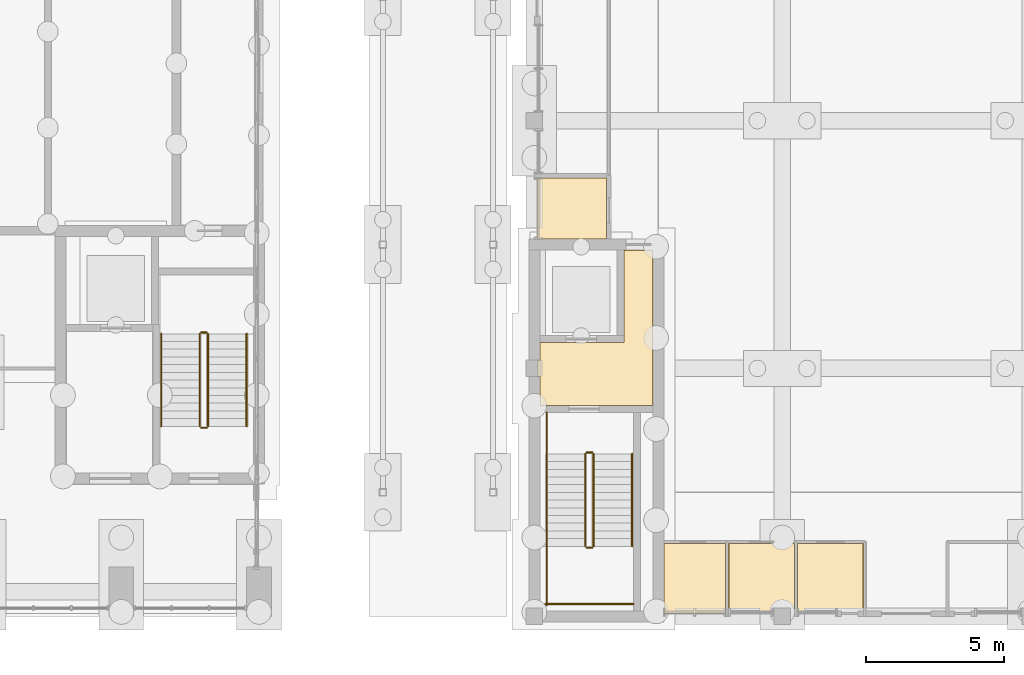
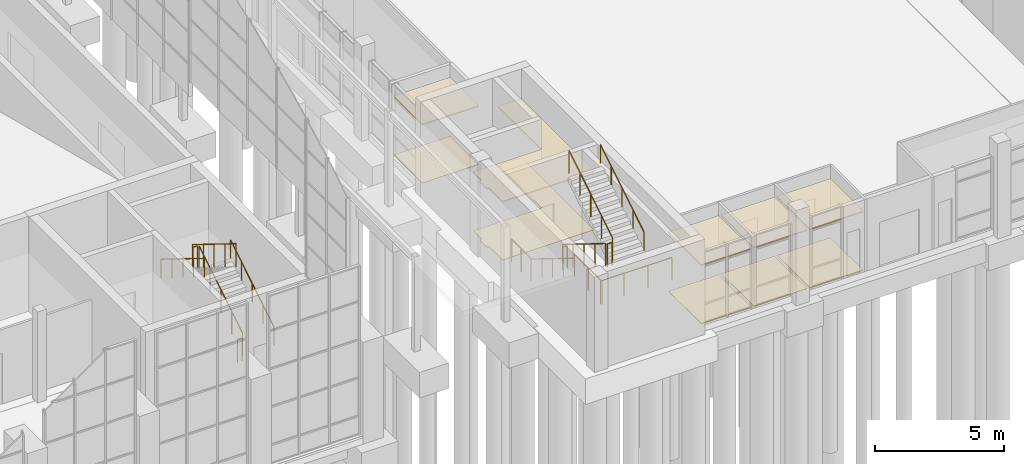
# One storey, part 85 of 106: 15 railings, 10 coverings.
"""IFC4 building model written with IfcOpenShell, lengths in metres."""

import ifcopenshell
import ifcopenshell.guid

model = None  # the IFC model being written
_history = None  # IfcOwnerHistory: only IFC2X3 demands one
_inside = {}  # id of a spatial element -> (the spatial element, [elements in it])
_under = {}  # id of a project, library or spatial element -> (it, [spatial elements below it])
_declared = {}  # id of a project -> (the project, [libraries it declares])
_typed = {}  # id of a type object -> (the type object, [elements of that type])
_made_of = {}  # id of a material, layer set ... -> (it, [elements and type objects made of it])


def new_model(schema):
    """Start an empty IFC model of exactly this schema.

    Asked for "IFC4X3", IfcOpenShell would pick the latest addendum, in which some entities
    have other attributes; the version numbers below select the first issue.
    IFC2X3 requires an IfcOwnerHistory on every rooted entity: one is made here for all.
    """
    global model, _history
    if schema == "IFC4X3":
        model = ifcopenshell.file(schema_version=(4, 3, 0, 0))
    else:
        model = ifcopenshell.file(schema=schema)
    _inside.clear()
    _under.clear()
    _declared.clear()
    _typed.clear()
    _made_of.clear()
    _history = None
    if model.schema == "IFC2X3":
        org = make("IfcOrganization", Name="unknown")
        user = make(
            "IfcPersonAndOrganization",
            ThePerson=make("IfcPerson", FamilyName="unknown"),
            TheOrganization=org,
        )
        app = make(
            "IfcApplication",
            ApplicationDeveloper=org,
            Version="unknown",
            ApplicationFullName="unknown",
            ApplicationIdentifier="unknown",
        )
        _history = make(
            "IfcOwnerHistory",
            OwningUser=user,
            OwningApplication=app,
            ChangeAction="ADDED",
            CreationDate=0,
        )
    return model


def make(cls, **values):
    """One entity of the class cls with the attributes given. An attribute that is None is left unset."""
    return model.create_entity(
        cls, **{name: value for name, value in values.items() if value is not None}
    )


def rooted(cls, **values):
    """An entity with a GlobalId (a new one), such as an element, a storey or a relation."""
    return make(cls, GlobalId=ifcopenshell.guid.new(), OwnerHistory=_history, **values)


def si_unit(unit_type, name, prefix=None):
    """IfcSIUnit, for example si_unit("LENGTHUNIT", "METRE", prefix="MILLI")."""
    return make("IfcSIUnit", UnitType=unit_type, Prefix=prefix, Name=name)


def assignment(units):
    """IfcUnitAssignment: the units of a project."""
    return None if units is None else make("IfcUnitAssignment", Units=units)


def point(xyz):
    """IfcCartesianPoint."""
    return None if xyz is None else make("IfcCartesianPoint", Coordinates=xyz)


def direction(xyz):
    """IfcDirection."""
    return None if xyz is None else make("IfcDirection", DirectionRatios=xyz)


def frame(location, z_axis=None, x_axis=None):
    """IfcAxis2Placement3D, a coordinate frame: its origin and axes. An axis left out is left unset."""
    return make(
        "IfcAxis2Placement3D",
        Location=point(location),
        Axis=direction(z_axis),
        RefDirection=direction(x_axis),
    )


def frame_2d(location, x_axis=None):
    """IfcAxis2Placement2D, a coordinate frame in the plane: its origin and x axis."""
    return make(
        "IfcAxis2Placement2D", Location=point(location), RefDirection=direction(x_axis)
    )


def origin():
    """The frame at (0, 0, 0) with its axes left unset."""
    return frame((0.0, 0.0, 0.0))


def origin_2d():
    """The frame at (0, 0) in the plane with its x axis left unset."""
    return frame_2d((0.0, 0.0))


def place(relative_to, where):
    """IfcLocalPlacement: puts the frame where relative to a parent placement (None: the world)."""
    return make(
        "IfcLocalPlacement", PlacementRelTo=relative_to, RelativePlacement=where
    )


def context(
    kind, dimensions, precision=None, world=None, true_north=None, identifier=None
):
    """IfcGeometricRepresentationContext, for example the 3D "Model" context."""
    return make(
        "IfcGeometricRepresentationContext",
        ContextIdentifier=identifier,
        ContextType=kind,
        CoordinateSpaceDimension=dimensions,
        Precision=precision,
        WorldCoordinateSystem=world,
        TrueNorth=true_north,
    )


def subcontext(parent, identifier, kind, view, scale=None):
    """IfcGeometricRepresentationSubContext, for example "Body" below "Model"."""
    return make(
        "IfcGeometricRepresentationSubContext",
        ContextIdentifier=identifier,
        ContextType=kind,
        ParentContext=parent,
        TargetScale=scale,
        TargetView=view,
    )


def project(units=None, contexts=None):
    """IfcProject with its units and contexts."""
    return rooted(
        "IfcProject",
        Name="project",
        RepresentationContexts=contexts,
        UnitsInContext=assignment(units),
    )


def spatial(cls, under=None, at=None, **own):
    """A site, building, storey or space (cls), placed at a placement, below another one or the project."""
    s = rooted(cls, ObjectPlacement=at, **own)
    if under is not None:
        _under.setdefault(under.id(), (under, []))[1].append(s)
    return s


def polyline(points):
    """IfcPolyline through the points."""
    return make("IfcPolyline", Points=[point(p) for p in points])


def profile(cls, at=None, kind="AREA", **sizes):
    """A parametric profile (cls). Its sizes go by their IFC names, for example OverallWidth=200.0."""
    return make(cls, ProfileType=kind, Position=at, **sizes)


def circle(**sizes):
    """IfcCircleProfileDef."""
    return profile("IfcCircleProfileDef", **sizes)


def outline(outer, holes=None, kind="AREA"):
    """IfcArbitraryClosedProfileDef: a profile drawn as a closed curve; with holes, ...WithVoids."""
    if holes is None:
        return make("IfcArbitraryClosedProfileDef", ProfileType=kind, OuterCurve=outer)
    return make(
        "IfcArbitraryProfileDefWithVoids",
        ProfileType=kind,
        OuterCurve=outer,
        InnerCurves=holes,
    )


def extrude(swept, where, along, depth):
    """IfcExtrudedAreaSolid: the profile swept, set in the frame where, extruded along a direction by depth."""
    return make(
        "IfcExtrudedAreaSolid",
        SweptArea=swept,
        Position=where,
        ExtrudedDirection=direction(along),
        Depth=depth,
    )


def shape(context_of_items, identifier, shape_type, items):
    """IfcShapeRepresentation: the items that make up one representation, for example the "Body"."""
    return make(
        "IfcShapeRepresentation",
        ContextOfItems=context_of_items,
        RepresentationIdentifier=identifier,
        RepresentationType=shape_type,
        Items=items,
    )


def material(Name=None, Category=None):
    """IfcMaterial."""
    return make("IfcMaterial", Name=Name, Category=Category)


def layer(
    of_material, thickness, ventilated=None, Name=None, Category=None, Priority=None
):
    """IfcMaterialLayer: one layer of a wall or slab, of a material (None: an air gap)."""
    return make(
        "IfcMaterialLayer",
        Material=of_material,
        LayerThickness=thickness,
        IsVentilated=ventilated,
        Name=Name,
        Category=Category,
        Priority=Priority,
    )


def layer_set(layers, Name=None):
    """IfcMaterialLayerSet."""
    return make("IfcMaterialLayerSet", MaterialLayers=layers, LayerSetName=Name)


def made_of(thing, what):
    """Note that an element or type object is made of a material, layer set ...; save() writes the relation."""
    if what is not None:
        _made_of.setdefault(what.id(), (what, []))[1].append(thing)
    return thing


def type_object(cls, material=None, **own):
    """A type object (cls), such as IfcWallType, which elements share."""
    return made_of(rooted(cls, **own), material)


def element(
    cls,
    number,
    at=None,
    inside=None,
    cuts=None,
    type_object=None,
    material=None,
    context=None,
    identifier="Body",
    shape_type=None,
    held_by="IfcProductDefinitionShape",
    body=None,
    shapes=None,
    **own,
):
    """One element of the class cls, such as IfcWall. Its Tag is "e" and its number.

    at: its placement. inside: the storey or other place that contains it. cuts: it is an
    opening in that element (IfcRelVoidsElement). A single representation is given by context,
    identifier, shape_type and body (its items); several are given by shapes. held_by: the class
    of the entity that holds the representations. save() writes the other relations.
    """
    e = rooted(cls, Tag="e%d" % number, ObjectPlacement=at, **own)
    if body is not None:
        shapes = [shape(context, identifier, shape_type, body)]
    if shapes is not None:
        e.Representation = make(held_by, Representations=shapes)
    if inside is not None:
        _inside.setdefault(inside.id(), (inside, []))[1].append(e)
    if cuts is not None:
        rooted(
            "IfcRelVoidsElement", RelatingBuildingElement=cuts, RelatedOpeningElement=e
        )
    if type_object is not None:
        _typed.setdefault(type_object.id(), (type_object, []))[1].append(e)
    return made_of(e, material)


def aggregate(whole, parts):
    """IfcRelAggregates: a whole, such as a stair, and the parts it consists of."""
    return rooted("IfcRelAggregates", RelatingObject=whole, RelatedObjects=parts)


def save(model, path):
    """Write the relations noted so far, then the file.

    IfcRelAggregates (storeys below a building ...), IfcRelContainedInSpatialStructure (elements
    in a storey), IfcRelDefinesByType, IfcRelAssociatesMaterial and IfcRelDeclares: one each for
    every whole, place, type object, material and project.
    """
    for whole, parts in _under.values():
        aggregate(whole, parts)
    for where, things in _inside.values():
        rooted(
            "IfcRelContainedInSpatialStructure",
            RelatedElements=things,
            RelatingStructure=where,
        )
    for kind, things in _typed.values():
        rooted("IfcRelDefinesByType", RelatedObjects=things, RelatingType=kind)
    for what, things in _made_of.values():
        rooted("IfcRelAssociatesMaterial", RelatedObjects=things, RelatingMaterial=what)
    for by, libraries in _declared.values():
        rooted("IfcRelDeclares", RelatingContext=by, RelatedDefinitions=libraries)
    model.write(path)


model = new_model("IFC4")

# Units and contexts
model_context = context("Model", 3, precision=1e-05, world=origin(), true_north=direction((0.0, 1.0)))
body_context = subcontext(model_context, "Body", "Model", "MODEL_VIEW")
ifc_project = project(units=[si_unit("LENGTHUNIT", "METRE"), si_unit("AREAUNIT", "SQUARE_METRE"), si_unit("VOLUMEUNIT", "CUBIC_METRE"), si_unit("PLANEANGLEUNIT", "RADIAN"), si_unit("MASSUNIT", "GRAM", prefix="KILO")], contexts=[model_context])

# Site, building, storey
site_placement = place(None, origin())
site = spatial("IfcSite", under=ifc_project, at=site_placement, CompositionType="ELEMENT")
building_placement = place(site_placement, origin())
building = spatial("IfcBuilding", under=site, at=building_placement, Name="Merrow Basin Faculty of Sciences", CompositionType="ELEMENT")
storey_placement = place(building_placement, origin())
storey = spatial("IfcBuildingStorey", under=building, at=storey_placement, Name="L00", CompositionType="ELEMENT", Elevation=0.0)

# Coverings
ifc_material_1 = material(Name="Ceramic floor tile")
ifc_layer_1 = layer(ifc_material_1, 0.02001953125)
ifc_layer_set_1 = layer_set([ifc_layer_1], Name="Ceramic floor tile")
covering_type_1 = type_object("IfcCoveringType", Name="Ceramic floor tile", PredefinedType="FLOORING", material=ifc_layer_set_1)
covering_1_placement = place(storey_placement, origin())
element("IfcCovering", 1, at=covering_1_placement, inside=storey, type_object=covering_type_1, Name="Floor finish L00-A-007", PredefinedType="FLOORING", context=body_context, shape_type="SweptSolid", body=[
    extrude(outline(polyline([(49.7099609375, 0.110107421875), (49.7099609375, 2.639892578125), (51.93994140625, 2.639892578125), (51.93994140625, 0.110107421875), (49.7099609375, 0.110107421875)])), origin(), (0.0, 0.0, 1.0), 0.02001953125),
])
covering_2_placement = place(storey_placement, origin())
element("IfcCovering", 2, at=covering_2_placement, inside=storey, type_object=covering_type_1, Name="Floor finish L00-A-008", PredefinedType="FLOORING", context=body_context, shape_type="SweptSolid", body=[
    extrude(outline(polyline([(52.06005859375, 0.110107421875), (52.06005859375, 2.639892578125), (54.43994140625, 2.639892578125), (54.43994140625, 0.110107421875), (52.06005859375, 0.110107421875)])), origin(), (0.0, 0.0, 1.0), 0.02001953125),
])
covering_3_placement = place(storey_placement, origin())
element("IfcCovering", 3, at=covering_3_placement, inside=storey, type_object=covering_type_1, Name="Floor finish L00-A-009", PredefinedType="FLOORING", context=body_context, shape_type="SweptSolid", body=[
    extrude(outline(polyline([(54.56005859375, 0.110107421875), (54.56005859375, 2.639892578125), (56.93994140625, 2.639892578125), (56.93994140625, 0.110107421875), (54.56005859375, 0.110107421875)])), origin(), (0.0, 0.0, 1.0), 0.02001953125),
])
ifc_material_2 = material(Name="Polished terrazzo floor")
ifc_layer_2 = layer(ifc_material_2, 0.02001953125)
ifc_layer_set_2 = layer_set([ifc_layer_2], Name="Polished terrazzo floor")
covering_type_2 = type_object("IfcCoveringType", Name="Polished terrazzo floor", PredefinedType="FLOORING", material=ifc_layer_set_2)
covering_4_placement = place(storey_placement, origin())
element("IfcCovering", 4, at=covering_4_placement, inside=storey, type_object=covering_type_2, Name="Floor finish L00-A-003", PredefinedType="FLOORING", context=body_context, shape_type="SweptSolid", body=[
    extrude(outline(polyline([(45.110107421875, 9.2900390625), (45.2099609375, 9.2900390625), (45.2099609375, 9.93994140625), (48.260009765625, 9.93994140625), (48.260009765625, 13.2900390625), (49.2900390625, 13.2900390625), (49.2900390625, 7.659912109375), (45.2099609375, 7.659912109375), (45.2099609375, 8.7099609375), (45.110107421875, 8.7099609375), (45.110107421875, 9.2900390625)])), origin(), (0.0, 0.0, 1.0), 0.02001953125),
])
ifc_material_3 = material(Name="Sealed concrete floor", Category="concrete")
ifc_layer_3 = layer(ifc_material_3, 0.02001953125)
ifc_layer_set_3 = layer_set([ifc_layer_3], Name="Sealed concrete floor")
covering_type_3 = type_object("IfcCoveringType", Name="Sealed concrete floor", PredefinedType="FLOORING", material=ifc_layer_set_3)
covering_5_placement = place(storey_placement, origin())
element("IfcCovering", 5, at=covering_5_placement, inside=storey, type_object=covering_type_3, Name="Floor finish L00-A-013", PredefinedType="FLOORING", context=body_context, shape_type="SweptSolid", body=[
    extrude(outline(polyline([(45.110107421875, 15.9150390625), (47.614990234375, 15.9150390625), (47.614990234375, 13.7099609375), (45.110107421875, 13.7099609375), (45.110107421875, 15.9150390625)])), origin(), (0.0, 0.0, 1.0), 0.02001953125),
])

# Railings
ifc_material_4 = material(Name="Steel ASTM A36", Category="steel")
railing_type_1 = type_object("IfcRailingType", Name="Steel guard 1100", PredefinedType="GUARDRAIL", material=ifc_material_4)
railing_1_placement = place(storey_placement, frame((33.14990234375, 6.89990234375, 0.173095703125)))
element("IfcRailing", 6, at=railing_1_placement, inside=storey, type_object=railing_type_1, Name="L00 ST-V1-E stair guard 1", PredefinedType="GUARDRAIL", context=body_context, shape_type="SweptSolid", body=[
    extrude(circle(Radius=0.02392578125, at=origin_2d()), frame((0.0, 0.0, 1.076171875), z_axis=(0.0, 0.850623216509, 0.525775754039), x_axis=(-1.0, 0.0, 0.0)), (0.0, 0.0, 1.0), 3.9501953125),
    extrude(circle(Radius=0.02099609375, at=origin_2d()), origin(), (0.0, 0.0, 1.0), 1.052001953125),
    extrude(circle(Radius=0.02099609375, at=origin_2d()), frame((0.0, 0.840087890625, 0.519287109375)), (0.0, 0.0, 1.0), 1.052001953125),
    extrude(circle(Radius=0.02099609375, at=origin_2d()), frame((0.0, 1.68017578125, 1.03857421875)), (0.0, 0.0, 1.0), 1.052001953125),
    extrude(circle(Radius=0.02099609375, at=origin_2d()), frame((0.0, 2.52001953125, 1.5576171875)), (0.0, 0.0, 1.0), 1.052001953125),
    extrude(circle(Radius=0.02099609375, at=origin_2d()), frame((0.0, 3.360107421875, 2.076904296875)), (0.0, 0.0, 1.0), 1.052001953125),
])
railing_2_placement = place(storey_placement, frame((33.10009765625, 10.31005859375, 2.25)))
element("IfcRailing", 7, at=railing_2_placement, inside=storey, type_object=railing_type_1, Name="L00 ST-V1-E stair guard 2", PredefinedType="GUARDRAIL", context=body_context, shape_type="SweptSolid", body=[
    extrude(circle(Radius=0.02392578125, at=origin_2d()), frame((0.0, 0.0, 1.076171875), z_axis=(-1.0, 0.0, 0.0), x_axis=(0.0, -1.0, 0.0)), (0.0, 0.0, 1.0), 0.2001953125),
    extrude(circle(Radius=0.02099609375, at=origin_2d()), origin(), (0.0, 0.0, 1.0), 1.052001953125),
    extrude(circle(Radius=0.02099609375, at=origin_2d()), frame((-0.2001953125, 0.0, 0.0)), (0.0, 0.0, 1.0), 1.052001953125),
])
railing_3_placement = place(storey_placement, frame((32.85009765625, 10.260009765625, 2.423095703125)))
element("IfcRailing", 8, at=railing_3_placement, inside=storey, type_object=railing_type_1, Name="L00 ST-V1-E stair guard 3", PredefinedType="GUARDRAIL", context=body_context, shape_type="SweptSolid", body=[
    extrude(circle(Radius=0.02392578125, at=origin_2d()), frame((0.0, 0.0, 1.076171875), z_axis=(0.0, -0.850623216509, 0.525775754039), x_axis=(1.0, 0.0, 0.0)), (0.0, 0.0, 1.0), 3.9501953125),
    extrude(circle(Radius=0.02099609375, at=origin_2d()), origin(), (0.0, 0.0, 1.0), 1.052001953125),
    extrude(circle(Radius=0.02099609375, at=origin_2d()), frame((0.0, -0.840087890625, 0.519287109375)), (0.0, 0.0, 1.0), 1.052001953125),
    extrude(circle(Radius=0.02099609375, at=origin_2d()), frame((0.0, -1.68017578125, 1.03857421875)), (0.0, 0.0, 1.0), 1.052001953125),
    extrude(circle(Radius=0.02099609375, at=origin_2d()), frame((0.0, -2.52001953125, 1.5576171875)), (0.0, 0.0, 1.0), 1.052001953125),
    extrude(circle(Radius=0.02099609375, at=origin_2d()), frame((0.0, -3.360107421875, 2.076904296875)), (0.0, 0.0, 1.0), 1.052001953125),
])
railing_4_placement = place(storey_placement, frame((33.10009765625, 6.85009765625, 0.0)))
element("IfcRailing", 9, at=railing_4_placement, inside=storey, type_object=railing_type_1, Name="L00 ST-V1-E stair guard 4", PredefinedType="GUARDRAIL", context=body_context, shape_type="SweptSolid", body=[
    extrude(circle(Radius=0.02392578125, at=origin_2d()), frame((0.0, 0.0, 1.076171875), z_axis=(-1.0, 0.0, 0.0), x_axis=(0.0, -1.0, 0.0)), (0.0, 0.0, 1.0), 0.2001953125),
    extrude(circle(Radius=0.02099609375, at=origin_2d()), origin(), (0.0, 0.0, 1.0), 1.052001953125),
    extrude(circle(Radius=0.02099609375, at=origin_2d()), frame((-0.2001953125, 0.0, 0.0)), (0.0, 0.0, 1.0), 1.052001953125),
])
railing_5_placement = place(storey_placement, frame((46.85009765625, 5.89990234375, 0.173095703125)))
element("IfcRailing", 10, at=railing_5_placement, inside=storey, type_object=railing_type_1, Name="L00 ST-V3-W stair guard 1", PredefinedType="GUARDRAIL", context=body_context, shape_type="SweptSolid", body=[
    extrude(circle(Radius=0.02392578125, at=origin_2d()), frame((0.0, 0.0, 1.076171875), z_axis=(0.0, -0.850606129759, 0.525803396734), x_axis=(1.0, 0.0, 0.0)), (0.0, 0.0, 1.0), 3.949951171875),
    extrude(circle(Radius=0.02099609375, at=origin_2d()), origin(), (0.0, 0.0, 1.0), 1.052001953125),
    extrude(circle(Radius=0.02099609375, at=origin_2d()), frame((0.0, -0.83984375, 0.519287109375)), (0.0, 0.0, 1.0), 1.052001953125),
    extrude(circle(Radius=0.02099609375, at=origin_2d()), frame((0.0, -1.679931640625, 1.03857421875)), (0.0, 0.0, 1.0), 1.052001953125),
    extrude(circle(Radius=0.02099609375, at=origin_2d()), frame((0.0, -2.52001953125, 1.5576171875)), (0.0, 0.0, 1.0), 1.052001953125),
    extrude(circle(Radius=0.02099609375, at=origin_2d()), frame((0.0, -3.35986328125, 2.076904296875)), (0.0, 0.0, 1.0), 1.052001953125),
])
railing_6_placement = place(storey_placement, frame((46.89990234375, 2.489990234375, 2.25)))
element("IfcRailing", 11, at=railing_6_placement, inside=storey, type_object=railing_type_1, Name="L00 ST-V3-W stair guard 2", PredefinedType="GUARDRAIL", context=body_context, shape_type="SweptSolid", body=[
    extrude(circle(Radius=0.02392578125, at=origin_2d()), frame((0.0, 0.0, 1.076171875), z_axis=(1.0, 0.0, 0.0), x_axis=(0.0, 1.0, 0.0)), (0.0, 0.0, 1.0), 0.2001953125),
    extrude(circle(Radius=0.02099609375, at=origin_2d()), origin(), (0.0, 0.0, 1.0), 1.052001953125),
    extrude(circle(Radius=0.02099609375, at=origin_2d()), frame((0.2001953125, 0.0, 0.0)), (0.0, 0.0, 1.0), 1.052001953125),
])
railing_7_placement = place(storey_placement, frame((45.449951171875, 2.5400390625, 2.25)))
element("IfcRailing", 12, at=railing_7_placement, inside=storey, type_object=railing_type_1, Name="L00 ST-V3-W stair guard 3", PredefinedType="GUARDRAIL", context=body_context, shape_type="SweptSolid", body=[
    extrude(circle(Radius=0.02392578125, at=origin_2d()), frame((0.0, 0.0, 1.076171875), z_axis=(0.0, -1.0, 0.0), x_axis=(1.0, 0.0, 0.0)), (0.0, 0.0, 1.0), 2.14013671875),
    extrude(circle(Radius=0.02099609375, at=origin_2d()), origin(), (0.0, 0.0, 1.0), 1.052001953125),
    extrude(circle(Radius=0.02099609375, at=origin_2d()), frame((0.0, -1.070068359375, 0.0)), (0.0, 0.0, 1.0), 1.052001953125),
    extrude(circle(Radius=0.02099609375, at=origin_2d()), frame((0.0, -2.14013671875, 0.0)), (0.0, 0.0, 1.0), 1.052001953125),
])
railing_8_placement = place(storey_placement, frame((45.39990234375, 0.449951171875, 2.25)))
element("IfcRailing", 13, at=railing_8_placement, inside=storey, type_object=railing_type_1, Name="L00 ST-V3-W stair guard 4", PredefinedType="GUARDRAIL", context=body_context, shape_type="SweptSolid", body=[
    extrude(circle(Radius=0.02392578125, at=origin_2d()), frame((0.0, 0.0, 1.076171875), z_axis=(1.0, 0.0, 0.0), x_axis=(0.0, 1.0, 0.0)), (0.0, 0.0, 1.0), 3.2001953125),
    extrude(circle(Radius=0.02099609375, at=origin_2d()), origin(), (0.0, 0.0, 1.0), 1.052001953125),
    extrude(circle(Radius=0.02099609375, at=origin_2d()), frame((1.066650390625, 0.0, 0.0)), (0.0, 0.0, 1.0), 1.052001953125),
    extrude(circle(Radius=0.02099609375, at=origin_2d()), frame((2.133544921875, 0.0, 0.0)), (0.0, 0.0, 1.0), 1.052001953125),
    extrude(circle(Radius=0.02099609375, at=origin_2d()), frame((3.2001953125, 0.0, 0.0)), (0.0, 0.0, 1.0), 1.052001953125),
])
railing_9_placement = place(storey_placement, frame((47.14990234375, 2.5400390625, 2.423095703125)))
element("IfcRailing", 14, at=railing_9_placement, inside=storey, type_object=railing_type_1, Name="L00 ST-V3-W stair guard 5", PredefinedType="GUARDRAIL", context=body_context, shape_type="SweptSolid", body=[
    extrude(circle(Radius=0.02392578125, at=origin_2d()), frame((0.0, 0.0, 1.076171875), z_axis=(0.0, 0.850606129759, 0.525803396734), x_axis=(-1.0, 0.0, 0.0)), (0.0, 0.0, 1.0), 3.949951171875),
    extrude(circle(Radius=0.02099609375, at=origin_2d()), origin(), (0.0, 0.0, 1.0), 1.052001953125),
    extrude(circle(Radius=0.02099609375, at=origin_2d()), frame((0.0, 0.83984375, 0.519287109375)), (0.0, 0.0, 1.0), 1.052001953125),
    extrude(circle(Radius=0.02099609375, at=origin_2d()), frame((0.0, 1.679931640625, 1.03857421875)), (0.0, 0.0, 1.0), 1.052001953125),
    extrude(circle(Radius=0.02099609375, at=origin_2d()), frame((0.0, 2.52001953125, 1.5576171875)), (0.0, 0.0, 1.0), 1.052001953125),
    extrude(circle(Radius=0.02099609375, at=origin_2d()), frame((0.0, 3.35986328125, 2.076904296875)), (0.0, 0.0, 1.0), 1.052001953125),
])
railing_10_placement = place(storey_placement, frame((46.89990234375, 5.949951171875, 0.0)))
element("IfcRailing", 15, at=railing_10_placement, inside=storey, type_object=railing_type_1, Name="L00 ST-V3-W stair guard 6", PredefinedType="GUARDRAIL", context=body_context, shape_type="SweptSolid", body=[
    extrude(circle(Radius=0.02392578125, at=origin_2d()), frame((0.0, 0.0, 1.076171875), z_axis=(1.0, 0.0, 0.0), x_axis=(0.0, 1.0, 0.0)), (0.0, 0.0, 1.0), 0.2001953125),
    extrude(circle(Radius=0.02099609375, at=origin_2d()), origin(), (0.0, 0.0, 1.0), 1.052001953125),
    extrude(circle(Radius=0.02099609375, at=origin_2d()), frame((0.2001953125, 0.0, 0.0)), (0.0, 0.0, 1.0), 1.052001953125),
])
railing_11_placement = place(storey_placement, frame((45.449951171875, 7.39990234375, 0.0)))
element("IfcRailing", 16, at=railing_11_placement, inside=storey, type_object=railing_type_1, Name="L00 ST-V3-W stair guard 7", PredefinedType="GUARDRAIL", context=body_context, shape_type="SweptSolid", body=[
    extrude(circle(Radius=0.02392578125, at=origin_2d()), frame((0.0, 0.0, 1.076171875), z_axis=(0.0, -1.0, 0.0), x_axis=(1.0, 0.0, 0.0)), (0.0, 0.0, 1.0), 1.5),
    extrude(circle(Radius=0.02099609375, at=origin_2d()), origin(), (0.0, 0.0, 1.0), 1.052001953125),
    extrude(circle(Radius=0.02099609375, at=origin_2d()), frame((0.0, -0.75, 0.0)), (0.0, 0.0, 1.0), 1.052001953125),
    extrude(circle(Radius=0.02099609375, at=origin_2d()), frame((0.0, -1.5, 0.0)), (0.0, 0.0, 1.0), 1.052001953125),
])
ifc_material_5 = material(Name="Steel ASTM A36", Category="steel")
railing_type_2 = type_object("IfcRailingType", Name="Steel handrail 900", PredefinedType="HANDRAIL", material=ifc_material_5)
railing_12_placement = place(storey_placement, frame((34.550048828125, 6.89990234375, 0.173095703125)))
element("IfcRailing", 17, at=railing_12_placement, inside=storey, type_object=railing_type_2, Name="L00 ST-V1-E stair handrail 1", PredefinedType="HANDRAIL", context=body_context, shape_type="SweptSolid", body=[
    extrude(circle(Radius=0.02392578125, at=origin_2d()), frame((0.0, 0.0, 0.8759765625), z_axis=(0.0, 0.850623216509, 0.525775754039), x_axis=(-1.0, 0.0, 0.0)), (0.0, 0.0, 1.0), 3.9501953125),
    extrude(circle(Radius=0.02099609375, at=origin_2d()), origin(), (0.0, 0.0, 1.0), 0.851806640625),
    extrude(circle(Radius=0.02099609375, at=origin_2d()), frame((0.0, 0.840087890625, 0.519287109375)), (0.0, 0.0, 1.0), 0.851806640625),
    extrude(circle(Radius=0.02099609375, at=origin_2d()), frame((0.0, 1.68017578125, 1.03857421875)), (0.0, 0.0, 1.0), 0.851806640625),
    extrude(circle(Radius=0.02099609375, at=origin_2d()), frame((0.0, 2.52001953125, 1.5576171875)), (0.0, 0.0, 1.0), 0.851806640625),
    extrude(circle(Radius=0.02099609375, at=origin_2d()), frame((0.0, 3.360107421875, 2.076904296875)), (0.0, 0.0, 1.0), 0.851806640625),
])
railing_13_placement = place(storey_placement, frame((31.449951171875, 10.260009765625, 2.423095703125)))
element("IfcRailing", 18, at=railing_13_placement, inside=storey, type_object=railing_type_2, Name="L00 ST-V1-E stair handrail 2", PredefinedType="HANDRAIL", context=body_context, shape_type="SweptSolid", body=[
    extrude(circle(Radius=0.02392578125, at=origin_2d()), frame((0.0, 0.0, 0.8759765625), z_axis=(0.0, -0.850623216509, 0.525775754039), x_axis=(1.0, 0.0, 0.0)), (0.0, 0.0, 1.0), 3.9501953125),
    extrude(circle(Radius=0.02099609375, at=origin_2d()), origin(), (0.0, 0.0, 1.0), 0.851806640625),
    extrude(circle(Radius=0.02099609375, at=origin_2d()), frame((0.0, -0.840087890625, 0.519287109375)), (0.0, 0.0, 1.0), 0.851806640625),
    extrude(circle(Radius=0.02099609375, at=origin_2d()), frame((0.0, -1.68017578125, 1.03857421875)), (0.0, 0.0, 1.0), 0.851806640625),
    extrude(circle(Radius=0.02099609375, at=origin_2d()), frame((0.0, -2.52001953125, 1.5576171875)), (0.0, 0.0, 1.0), 0.851806640625),
    extrude(circle(Radius=0.02099609375, at=origin_2d()), frame((0.0, -3.360107421875, 2.076904296875)), (0.0, 0.0, 1.0), 0.851806640625),
])
railing_14_placement = place(storey_placement, frame((45.449951171875, 5.89990234375, 0.173095703125)))
element("IfcRailing", 19, at=railing_14_placement, inside=storey, type_object=railing_type_2, Name="L00 ST-V3-W stair handrail 1", PredefinedType="HANDRAIL", context=body_context, shape_type="SweptSolid", body=[
    extrude(circle(Radius=0.02392578125, at=origin_2d()), frame((0.0, 0.0, 0.8759765625), z_axis=(0.0, -0.850606129759, 0.525803396734), x_axis=(1.0, 0.0, 0.0)), (0.0, 0.0, 1.0), 3.949951171875),
    extrude(circle(Radius=0.02099609375, at=origin_2d()), origin(), (0.0, 0.0, 1.0), 0.851806640625),
    extrude(circle(Radius=0.02099609375, at=origin_2d()), frame((0.0, -0.83984375, 0.519287109375)), (0.0, 0.0, 1.0), 0.851806640625),
    extrude(circle(Radius=0.02099609375, at=origin_2d()), frame((0.0, -1.679931640625, 1.03857421875)), (0.0, 0.0, 1.0), 0.851806640625),
    extrude(circle(Radius=0.02099609375, at=origin_2d()), frame((0.0, -2.52001953125, 1.5576171875)), (0.0, 0.0, 1.0), 0.851806640625),
    extrude(circle(Radius=0.02099609375, at=origin_2d()), frame((0.0, -3.35986328125, 2.076904296875)), (0.0, 0.0, 1.0), 0.851806640625),
])
railing_15_placement = place(storey_placement, frame((48.550048828125, 2.5400390625, 2.423095703125)))
element("IfcRailing", 20, at=railing_15_placement, inside=storey, type_object=railing_type_2, Name="L00 ST-V3-W stair handrail 2", PredefinedType="HANDRAIL", context=body_context, shape_type="SweptSolid", body=[
    extrude(circle(Radius=0.02392578125, at=origin_2d()), frame((0.0, 0.0, 0.8759765625), z_axis=(0.0, 0.850606129759, 0.525803396734), x_axis=(-1.0, 0.0, 0.0)), (0.0, 0.0, 1.0), 3.949951171875),
    extrude(circle(Radius=0.02099609375, at=origin_2d()), origin(), (0.0, 0.0, 1.0), 0.851806640625),
    extrude(circle(Radius=0.02099609375, at=origin_2d()), frame((0.0, 0.83984375, 0.519287109375)), (0.0, 0.0, 1.0), 0.851806640625),
    extrude(circle(Radius=0.02099609375, at=origin_2d()), frame((0.0, 1.679931640625, 1.03857421875)), (0.0, 0.0, 1.0), 0.851806640625),
    extrude(circle(Radius=0.02099609375, at=origin_2d()), frame((0.0, 2.52001953125, 1.5576171875)), (0.0, 0.0, 1.0), 0.851806640625),
    extrude(circle(Radius=0.02099609375, at=origin_2d()), frame((0.0, 3.35986328125, 2.076904296875)), (0.0, 0.0, 1.0), 0.851806640625),
])

# Coverings
ifc_material_6 = material(Name="Mineral fibre ceiling tile")
ifc_layer_4 = layer(ifc_material_6, 0.050048828125)
ifc_layer_set_4 = layer_set([ifc_layer_4], Name="Suspended acoustic ceiling tile")
covering_type_4 = type_object("IfcCoveringType", Name="Suspended acoustic ceiling tile", PredefinedType="CEILING", material=ifc_layer_set_4)
covering_6_placement = place(storey_placement, frame((0.0, 0.0, 2.75)))
element("IfcCovering", 21, at=covering_6_placement, inside=storey, type_object=covering_type_4, Name="Ceiling L00-A-003", PredefinedType="CEILING", context=body_context, shape_type="SweptSolid", body=[
    extrude(outline(polyline([(45.10009765625, 9.300048828125), (45.199951171875, 9.300048828125), (45.199951171875, 9.949951171875), (48.25, 9.949951171875), (48.25, 13.300048828125), (49.300048828125, 13.300048828125), (49.300048828125, 7.64990234375), (45.199951171875, 7.64990234375), (45.199951171875, 8.699951171875), (45.10009765625, 8.699951171875), (45.10009765625, 9.300048828125)])), origin(), (0.0, 0.0, 1.0), 0.050048828125),
])
covering_7_placement = place(storey_placement, frame((0.0, 0.0, 2.75)))
element("IfcCovering", 22, at=covering_7_placement, inside=storey, type_object=covering_type_4, Name="Ceiling L00-A-007", PredefinedType="CEILING", context=body_context, shape_type="SweptSolid", body=[
    extrude(outline(polyline([(49.699951171875, 0.10009765625), (49.699951171875, 2.64990234375), (51.949951171875, 2.64990234375), (51.949951171875, 0.10009765625), (49.699951171875, 0.10009765625)])), origin(), (0.0, 0.0, 1.0), 0.050048828125),
])
covering_8_placement = place(storey_placement, frame((0.0, 0.0, 2.75)))
element("IfcCovering", 23, at=covering_8_placement, inside=storey, type_object=covering_type_4, Name="Ceiling L00-A-008", PredefinedType="CEILING", context=body_context, shape_type="SweptSolid", body=[
    extrude(outline(polyline([(52.050048828125, 0.10009765625), (52.050048828125, 2.64990234375), (54.449951171875, 2.64990234375), (54.449951171875, 0.10009765625), (52.050048828125, 0.10009765625)])), origin(), (0.0, 0.0, 1.0), 0.050048828125),
])
covering_9_placement = place(storey_placement, frame((0.0, 0.0, 2.75)))
element("IfcCovering", 24, at=covering_9_placement, inside=storey, type_object=covering_type_4, Name="Ceiling L00-A-009", PredefinedType="CEILING", context=body_context, shape_type="SweptSolid", body=[
    extrude(outline(polyline([(54.550048828125, 0.10009765625), (54.550048828125, 2.64990234375), (56.949951171875, 2.64990234375), (56.949951171875, 0.10009765625), (54.550048828125, 0.10009765625)])), origin(), (0.0, 0.0, 1.0), 0.050048828125),
])
covering_10_placement = place(storey_placement, frame((0.0, 0.0, 2.75)))
element("IfcCovering", 25, at=covering_10_placement, inside=storey, type_object=covering_type_4, Name="Ceiling L00-A-013", PredefinedType="CEILING", context=body_context, shape_type="SweptSolid", body=[
    extrude(outline(polyline([(45.10009765625, 15.925048828125), (47.625, 15.925048828125), (47.625, 13.699951171875), (45.10009765625, 13.699951171875), (45.10009765625, 15.925048828125)])), origin(), (0.0, 0.0, 1.0), 0.050048828125),
])

save(model, "model.ifc")
